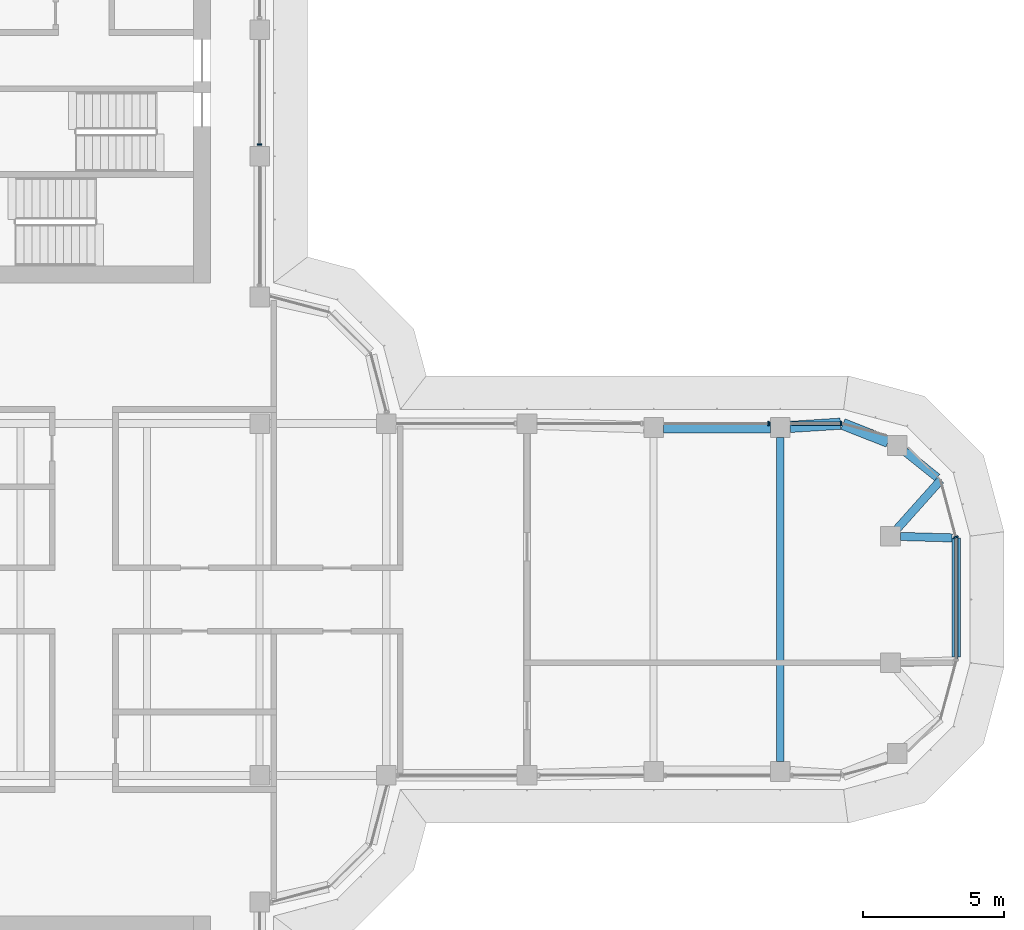
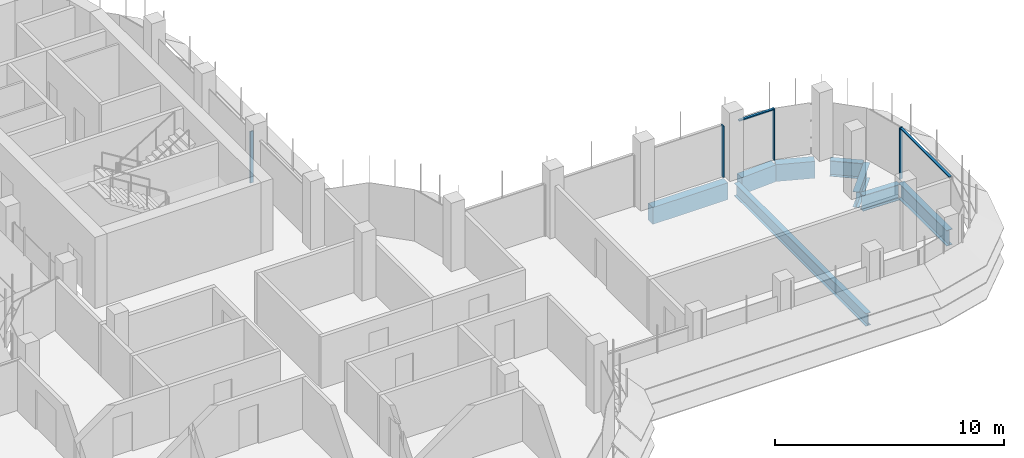
# One storey, part 9 of 19: 8 beams, 6 members, 4 elements without a shape of their own.
"""IFC4 building model written with IfcOpenShell, lengths in metres."""

import ifcopenshell
import ifcopenshell.guid

model = None  # the IFC model being written
_history = None  # IfcOwnerHistory: only IFC2X3 demands one
_inside = {}  # id of a spatial element -> (the spatial element, [elements in it])
_under = {}  # id of a project, library or spatial element -> (it, [spatial elements below it])
_declared = {}  # id of a project -> (the project, [libraries it declares])
_typed = {}  # id of a type object -> (the type object, [elements of that type])
_made_of = {}  # id of a material, layer set ... -> (it, [elements and type objects made of it])


def new_model(schema):
    """Start an empty IFC model of exactly this schema.

    Asked for "IFC4X3", IfcOpenShell would pick the latest addendum, in which some entities
    have other attributes; the version numbers below select the first issue.
    IFC2X3 requires an IfcOwnerHistory on every rooted entity: one is made here for all.
    """
    global model, _history
    if schema == "IFC4X3":
        model = ifcopenshell.file(schema_version=(4, 3, 0, 0))
    else:
        model = ifcopenshell.file(schema=schema)
    _inside.clear()
    _under.clear()
    _declared.clear()
    _typed.clear()
    _made_of.clear()
    _history = None
    if model.schema == "IFC2X3":
        org = make("IfcOrganization", Name="unknown")
        user = make(
            "IfcPersonAndOrganization",
            ThePerson=make("IfcPerson", FamilyName="unknown"),
            TheOrganization=org,
        )
        app = make(
            "IfcApplication",
            ApplicationDeveloper=org,
            Version="unknown",
            ApplicationFullName="unknown",
            ApplicationIdentifier="unknown",
        )
        _history = make(
            "IfcOwnerHistory",
            OwningUser=user,
            OwningApplication=app,
            ChangeAction="ADDED",
            CreationDate=0,
        )
    return model


def make(cls, **values):
    """One entity of the class cls with the attributes given. An attribute that is None is left unset."""
    return model.create_entity(
        cls, **{name: value for name, value in values.items() if value is not None}
    )


def rooted(cls, **values):
    """An entity with a GlobalId (a new one), such as an element, a storey or a relation."""
    return make(cls, GlobalId=ifcopenshell.guid.new(), OwnerHistory=_history, **values)


def si_unit(unit_type, name, prefix=None):
    """IfcSIUnit, for example si_unit("LENGTHUNIT", "METRE", prefix="MILLI")."""
    return make("IfcSIUnit", UnitType=unit_type, Prefix=prefix, Name=name)


def assignment(units):
    """IfcUnitAssignment: the units of a project."""
    return None if units is None else make("IfcUnitAssignment", Units=units)


def point(xyz):
    """IfcCartesianPoint."""
    return None if xyz is None else make("IfcCartesianPoint", Coordinates=xyz)


def direction(xyz):
    """IfcDirection."""
    return None if xyz is None else make("IfcDirection", DirectionRatios=xyz)


def frame(location, z_axis=None, x_axis=None):
    """IfcAxis2Placement3D, a coordinate frame: its origin and axes. An axis left out is left unset."""
    return make(
        "IfcAxis2Placement3D",
        Location=point(location),
        Axis=direction(z_axis),
        RefDirection=direction(x_axis),
    )


def frame_2d(location, x_axis=None):
    """IfcAxis2Placement2D, a coordinate frame in the plane: its origin and x axis."""
    return make(
        "IfcAxis2Placement2D", Location=point(location), RefDirection=direction(x_axis)
    )


def origin():
    """The frame at (0, 0, 0) with its axes left unset."""
    return frame((0.0, 0.0, 0.0))


def origin_2d():
    """The frame at (0, 0) in the plane with its x axis left unset."""
    return frame_2d((0.0, 0.0))


def place(relative_to, where):
    """IfcLocalPlacement: puts the frame where relative to a parent placement (None: the world)."""
    return make(
        "IfcLocalPlacement", PlacementRelTo=relative_to, RelativePlacement=where
    )


def context(
    kind, dimensions, precision=None, world=None, true_north=None, identifier=None
):
    """IfcGeometricRepresentationContext, for example the 3D "Model" context."""
    return make(
        "IfcGeometricRepresentationContext",
        ContextIdentifier=identifier,
        ContextType=kind,
        CoordinateSpaceDimension=dimensions,
        Precision=precision,
        WorldCoordinateSystem=world,
        TrueNorth=true_north,
    )


def subcontext(parent, identifier, kind, view, scale=None):
    """IfcGeometricRepresentationSubContext, for example "Body" below "Model"."""
    return make(
        "IfcGeometricRepresentationSubContext",
        ContextIdentifier=identifier,
        ContextType=kind,
        ParentContext=parent,
        TargetScale=scale,
        TargetView=view,
    )


def project(units=None, contexts=None):
    """IfcProject with its units and contexts."""
    return rooted(
        "IfcProject",
        Name="project",
        RepresentationContexts=contexts,
        UnitsInContext=assignment(units),
    )


def spatial(cls, under=None, at=None, **own):
    """A site, building, storey or space (cls), placed at a placement, below another one or the project."""
    s = rooted(cls, ObjectPlacement=at, **own)
    if under is not None:
        _under.setdefault(under.id(), (under, []))[1].append(s)
    return s


def polyline(points):
    """IfcPolyline through the points."""
    return make("IfcPolyline", Points=[point(p) for p in points])


def profile(cls, at=None, kind="AREA", **sizes):
    """A parametric profile (cls). Its sizes go by their IFC names, for example OverallWidth=200.0."""
    return make(cls, ProfileType=kind, Position=at, **sizes)


def rectangle(**sizes):
    """IfcRectangleProfileDef."""
    return profile("IfcRectangleProfileDef", **sizes)


def i_section(**sizes):
    """IfcIShapeProfileDef."""
    return profile("IfcIShapeProfileDef", **sizes)


def outline(outer, holes=None, kind="AREA"):
    """IfcArbitraryClosedProfileDef: a profile drawn as a closed curve; with holes, ...WithVoids."""
    if holes is None:
        return make("IfcArbitraryClosedProfileDef", ProfileType=kind, OuterCurve=outer)
    return make(
        "IfcArbitraryProfileDefWithVoids",
        ProfileType=kind,
        OuterCurve=outer,
        InnerCurves=holes,
    )


def extrude(swept, where, along, depth):
    """IfcExtrudedAreaSolid: the profile swept, set in the frame where, extruded along a direction by depth."""
    return make(
        "IfcExtrudedAreaSolid",
        SweptArea=swept,
        Position=where,
        ExtrudedDirection=direction(along),
        Depth=depth,
    )


def shape(context_of_items, identifier, shape_type, items):
    """IfcShapeRepresentation: the items that make up one representation, for example the "Body"."""
    return make(
        "IfcShapeRepresentation",
        ContextOfItems=context_of_items,
        RepresentationIdentifier=identifier,
        RepresentationType=shape_type,
        Items=items,
    )


def source(mapping_origin, context_of_items, identifier, shape_type, items):
    """IfcRepresentationMap: a shape defined once, which mapped items show again and again."""
    return make(
        "IfcRepresentationMap",
        MappingOrigin=mapping_origin,
        MappedRepresentation=shape(context_of_items, identifier, shape_type, items),
    )


def transform(
    local_origin,
    x_axis=None,
    y_axis=None,
    z_axis=None,
    scale=None,
    scale2=None,
    scale3=None,
    uniform=True,
):
    """IfcCartesianTransformationOperator3D, or its non-uniform kind. x_axis, y_axis, z_axis: its Axis1, 2, 3."""
    if uniform:
        return make(
            "IfcCartesianTransformationOperator3D",
            Axis1=direction(x_axis),
            Axis2=direction(y_axis),
            LocalOrigin=point(local_origin),
            Scale=scale,
            Axis3=direction(z_axis),
        )
    return make(
        "IfcCartesianTransformationOperator3DnonUniform",
        Axis1=direction(x_axis),
        Axis2=direction(y_axis),
        LocalOrigin=point(local_origin),
        Scale=scale,
        Axis3=direction(z_axis),
        Scale2=scale2,
        Scale3=scale3,
    )


def mapped(mapping_source, mapping_target):
    """IfcMappedItem: shows the shape of a source again, moved by a transform."""
    return make(
        "IfcMappedItem", MappingSource=mapping_source, MappingTarget=mapping_target
    )


def material(Name=None, Category=None):
    """IfcMaterial."""
    return make("IfcMaterial", Name=Name, Category=Category)


def material_profile(
    of_material, cross_section, Name=None, Category=None, Priority=None
):
    """IfcMaterialProfile: a cross section and its material."""
    return make(
        "IfcMaterialProfile",
        Name=Name,
        Material=of_material,
        Profile=cross_section,
        Priority=Priority,
        Category=Category,
    )


def profile_set(profiles, Name=None, composite=None):
    """IfcMaterialProfileSet."""
    return make(
        "IfcMaterialProfileSet",
        Name=Name,
        MaterialProfiles=profiles,
        CompositeProfile=composite,
    )


def made_of(thing, what):
    """Note that an element or type object is made of a material, layer set ...; save() writes the relation."""
    if what is not None:
        _made_of.setdefault(what.id(), (what, []))[1].append(thing)
    return thing


def type_object(cls, material=None, **own):
    """A type object (cls), such as IfcWallType, which elements share."""
    return made_of(rooted(cls, **own), material)


def element(
    cls,
    number,
    at=None,
    inside=None,
    cuts=None,
    type_object=None,
    material=None,
    context=None,
    identifier="Body",
    shape_type=None,
    held_by="IfcProductDefinitionShape",
    body=None,
    shapes=None,
    **own,
):
    """One element of the class cls, such as IfcWall. Its Tag is "e" and its number.

    at: its placement. inside: the storey or other place that contains it. cuts: it is an
    opening in that element (IfcRelVoidsElement). A single representation is given by context,
    identifier, shape_type and body (its items); several are given by shapes. held_by: the class
    of the entity that holds the representations. save() writes the other relations.
    """
    e = rooted(cls, Tag="e%d" % number, ObjectPlacement=at, **own)
    if body is not None:
        shapes = [shape(context, identifier, shape_type, body)]
    if shapes is not None:
        e.Representation = make(held_by, Representations=shapes)
    if inside is not None:
        _inside.setdefault(inside.id(), (inside, []))[1].append(e)
    if cuts is not None:
        rooted(
            "IfcRelVoidsElement", RelatingBuildingElement=cuts, RelatedOpeningElement=e
        )
    if type_object is not None:
        _typed.setdefault(type_object.id(), (type_object, []))[1].append(e)
    return made_of(e, material)


def aggregate(whole, parts):
    """IfcRelAggregates: a whole, such as a stair, and the parts it consists of."""
    return rooted("IfcRelAggregates", RelatingObject=whole, RelatedObjects=parts)


def save(model, path):
    """Write the relations noted so far, then the file.

    IfcRelAggregates (storeys below a building ...), IfcRelContainedInSpatialStructure (elements
    in a storey), IfcRelDefinesByType, IfcRelAssociatesMaterial and IfcRelDeclares: one each for
    every whole, place, type object, material and project.
    """
    for whole, parts in _under.values():
        aggregate(whole, parts)
    for where, things in _inside.values():
        rooted(
            "IfcRelContainedInSpatialStructure",
            RelatedElements=things,
            RelatingStructure=where,
        )
    for kind, things in _typed.values():
        rooted("IfcRelDefinesByType", RelatedObjects=things, RelatingType=kind)
    for what, things in _made_of.values():
        rooted("IfcRelAssociatesMaterial", RelatedObjects=things, RelatingMaterial=what)
    for by, libraries in _declared.values():
        rooted("IfcRelDeclares", RelatingContext=by, RelatedDefinitions=libraries)
    model.write(path)


model = new_model("IFC4")

# Units and contexts
model_context = context("Model", 3, precision=1e-05, world=origin(), true_north=direction((0.0, 1.0)))
body_context = subcontext(model_context, "Body", "Model", "MODEL_VIEW")
ifc_project = project(units=[si_unit("LENGTHUNIT", "METRE"), si_unit("AREAUNIT", "SQUARE_METRE"), si_unit("VOLUMEUNIT", "CUBIC_METRE"), si_unit("PLANEANGLEUNIT", "RADIAN"), si_unit("MASSUNIT", "GRAM", prefix="KILO")], contexts=[model_context])

# Site, building, storey
site_placement = place(None, origin())
site = spatial("IfcSite", under=ifc_project, at=site_placement, CompositionType="ELEMENT")
building_placement = place(site_placement, origin())
building = spatial("IfcBuilding", under=site, at=building_placement, Name="Zarbagh Exchange Tower", CompositionType="ELEMENT")
storey_placement = place(building_placement, frame((0.0, 0.0, 222.0)))
storey = spatial("IfcBuildingStorey", under=building, at=storey_placement, Name="L54", CompositionType="ELEMENT", Elevation=222.0)

# Beams
ifc_material_1 = material(Name="Steel ASTM A992 Gr 50", Category="steel")
ifc_material_profile_1 = material_profile(ifc_material_1, i_section(OverallWidth=0.25390625, OverallDepth=0.67822265625, WebThickness=0.01171875, FlangeThickness=0.016357421875, at=origin_2d()), Name="W27X84")
ifc_profile_set_1 = profile_set([ifc_material_profile_1], Name="Steel ASTM A992 Gr 50")
beam_type_1 = type_object("IfcBeamType", Name="Floor beam W27X84", PredefinedType="BEAM", material=ifc_profile_set_1)
beam_1_placement = place(storey_placement, frame((24.75, -5.760009765625, -0.489013671875), z_axis=(0.0, 1.0, 0.0), x_axis=(-1.0, 0.0, 0.0)))
element("IfcBeam", 1, at=beam_1_placement, inside=storey, type_object=beam_type_1, Name="Steel floor beam", PredefinedType="BEAM", context=body_context, shape_type="SweptSolid", body=[
    extrude(i_section(OverallWidth=0.25390625, OverallDepth=0.67822265625, WebThickness=0.01171875, FlangeThickness=0.016357421875, at=origin_2d()), origin(), (0.0, 0.0, 1.0), 11.52001953125),
])
ifc_material_profile_2 = material_profile(ifc_material_1, i_section(OverallWidth=0.2919921875, OverallDepth=0.835693359375, WebThickness=0.013916015625, FlangeThickness=0.018798828125, at=origin_2d()), Name="W33X118")
ifc_profile_set_2 = profile_set([ifc_material_profile_2], Name="Steel ASTM A992 Gr 50")
beam_type_2 = type_object("IfcBeamType", Name="Floor girder W33X118", PredefinedType="BEAM", material=ifc_profile_set_2)
beam_2_placement = place(storey_placement, frame((29.18115234375, 5.256103515625, -0.56787109375), z_axis=(0.780625690962, -0.624998824487, 0.0), x_axis=(0.624998824487, 0.780625690962, 0.0)))
element("IfcBeam", 2, at=beam_2_placement, inside=storey, type_object=beam_type_2, Name="Steel girder", PredefinedType="BEAM", context=body_context, shape_type="SweptSolid", body=[
    extrude(i_section(OverallWidth=0.2919921875, OverallDepth=0.835693359375, WebThickness=0.013916015625, FlangeThickness=0.018798828125, at=origin_2d()), origin(), (0.0, 0.0, 1.0), 1.469970703125),
])
beam_3_placement = place(storey_placement, frame((30.44873046875, 4.2412109375, -0.56787109375), z_axis=(-0.66615169279, -0.745816279115, 0.0), x_axis=(0.745816279115, -0.66615169279, 0.0)))
element("IfcBeam", 3, at=beam_3_placement, inside=storey, type_object=beam_type_2, Name="Steel girder", PredefinedType="BEAM", context=body_context, shape_type="SweptSolid", body=[
    extrude(i_section(OverallWidth=0.2919921875, OverallDepth=0.835693359375, WebThickness=0.013916015625, FlangeThickness=0.018798828125, at=origin_2d()), origin(), (0.0, 0.0, 1.0), 2.31982421875),
])
beam_4_placement = place(storey_placement, frame((29.02001953125, 2.239990234375, -0.56787109375), z_axis=(0.999603805015, -0.028146633904, 0.0), x_axis=(0.028146633904, 0.999603805015, 0.0)))
element("IfcBeam", 4, at=beam_4_placement, inside=storey, type_object=beam_type_2, Name="Steel girder", PredefinedType="BEAM", context=body_context, shape_type="SweptSolid", body=[
    extrude(i_section(OverallWidth=0.2919921875, OverallDepth=0.835693359375, WebThickness=0.013916015625, FlangeThickness=0.018798828125, at=origin_2d()), origin(), (0.0, 0.0, 1.0), 1.8388671875),
])
beam_5_placement = place(storey_placement, frame((31.0, 2.18408203125, -0.56787109375), z_axis=(0.0, -1.0, 0.0), x_axis=(1.0, 0.0, 0.0)))
element("IfcBeam", 5, at=beam_5_placement, inside=storey, type_object=beam_type_2, Name="Steel girder", PredefinedType="BEAM", context=body_context, shape_type="SweptSolid", body=[
    extrude(i_section(OverallWidth=0.2919921875, OverallDepth=0.835693359375, WebThickness=0.013916015625, FlangeThickness=0.018798828125, at=origin_2d()), origin(), (0.0, 0.0, 1.0), 4.226318359375),
])
ifc_material_2 = material(Name="Concrete C50/60", Category="concrete")
ifc_material_profile_3 = material_profile(ifc_material_2, rectangle(XDim=0.39990234375, YDim=0.89990234375, at=origin_2d()), Name="RC spandrel beam 400 x 900 C50/60")
ifc_profile_set_3 = profile_set([ifc_material_profile_3], Name="Concrete C50/60")
beam_type_3 = type_object("IfcBeamType", Name="RC spandrel beam 400 x 900 C50/60", PredefinedType="SPANDREL", material=ifc_profile_set_3)
beam_6_placement = place(storey_placement, frame((20.60009765625, 6.110107421875, -0.60009765625), z_axis=(1.0, 0.0, 0.0), x_axis=(0.0, 1.0, 0.0)))
element("IfcBeam", 6, at=beam_6_placement, inside=storey, type_object=beam_type_3, Name="RC spandrel beam", PredefinedType="SPANDREL", context=body_context, shape_type="SweptSolid", body=[
    extrude(rectangle(XDim=0.39990234375, YDim=0.89990234375, at=origin_2d()), origin(), (0.0, 0.0, 1.0), 3.7998046875),
])
beam_7_placement = place(storey_placement, frame((25.099365234375, 6.13232421875, -0.60009765625), z_axis=(0.997943601797, 0.064098109429, 0.0), x_axis=(-0.064098109429, 0.997943601797, 0.0)))
element("IfcBeam", 7, at=beam_7_placement, inside=storey, type_object=beam_type_3, Name="RC spandrel beam", PredefinedType="SPANDREL", context=body_context, shape_type="SweptSolid", body=[
    extrude(rectangle(XDim=0.39990234375, YDim=0.89990234375, at=origin_2d()), origin(), (0.0, 0.0, 1.0), 1.7939453125),
])
beam_8_placement = place(storey_placement, frame((26.9755859375, 6.233642578125, -0.60009765625), z_axis=(0.930818525178, -0.365481700207, 0.0), x_axis=(0.365481700207, 0.930818525178, 0.0)))
element("IfcBeam", 8, at=beam_8_placement, inside=storey, type_object=beam_type_3, Name="RC spandrel beam", PredefinedType="SPANDREL", context=body_context, shape_type="SweptSolid", body=[
    extrude(rectangle(XDim=0.39990234375, YDim=0.89990234375, at=origin_2d()), origin(), (0.0, 0.0, 1.0), 1.72607421875),
])

# Curtain wall, member
ifc_material_3 = material(Name="Anodised aluminium frame and glazing", Category="aluminium")
curtain_wall_type = type_object("IfcCurtainWallType", Name="CWB Ribbon glazing, upper zones", PredefinedType="NOTDEFINED", material=ifc_material_3)
curtain_wall_1_placement = place(storey_placement, origin())
curtain_wall_1 = element("IfcCurtainWall", 9, at=curtain_wall_1_placement, inside=storey, type_object=curtain_wall_type, Name="CWB13 curtain wall", PredefinedType="NOTDEFINED")
ifc_material_4 = material(Name="Anodised aluminium frame", Category="aluminium")
member_type_1 = type_object("IfcMemberType", Name="MUB Mullion, anodised aluminium frame", PredefinedType="MULLION", material=ifc_material_4)
shared_shape_1 = source(origin(), body_context, "Body", "SweptSolid", [
    extrude(outline(polyline([(0.0, -0.080078125), (0.06005859375, -0.080078125), (0.06005859375, 0.080078125), (0.0, 0.080078125), (0.0, -0.080078125)])), origin(), (0.0, 0.0, 1.0), 2.75),
])
placement = place(storey_placement, origin())
member_1 = element("IfcMember", 10, at=placement, type_object=member_type_1, Name="CWB13 mullion 1.1", PredefinedType="MULLION", context=body_context, shape_type="MappedRepresentation", body=[
    mapped(shared_shape_1, transform((31.0, 2.18408203125, 0.0), x_axis=(-0.258824779902, 0.965924289636, 0.0), y_axis=(-0.965924289636, -0.258824779902, 0.0), z_axis=(0.0, 0.0, 1.0))),
])
aggregate(curtain_wall_1, [member_1])

# Curtain wall, members
curtain_wall_2_placement = place(storey_placement, origin())
curtain_wall_2 = element("IfcCurtainWall", 11, at=curtain_wall_2_placement, inside=storey, type_object=curtain_wall_type, Name="CWB16 curtain wall", PredefinedType="NOTDEFINED")
member_2 = element("IfcMember", 12, at=placement, type_object=member_type_1, Name="CWB16 mullion 1.1", PredefinedType="MULLION", context=body_context, shape_type="MappedRepresentation", body=[
    mapped(shared_shape_1, transform((26.93408203125, 6.25, 0.0), x_axis=(-1.0, 0.0, 0.0), y_axis=(0.0, -1.0, 0.0), z_axis=(0.0, 0.0, 1.0))),
])
member_3 = element("IfcMember", 13, at=placement, type_object=member_type_1, Name="CWB16 mullion 2.1", PredefinedType="MULLION", context=body_context, shape_type="MappedRepresentation", body=[
    mapped(shared_shape_1, transform((24.35986328125, 6.25, 0.0), x_axis=(-1.0, 0.0, 0.0), y_axis=(0.0, -1.0, 0.0), z_axis=(0.0, 0.0, 1.0))),
])

# Curtain wall, member
curtain_wall_3_placement = place(storey_placement, origin())
curtain_wall_3 = element("IfcCurtainWall", 14, at=curtain_wall_3_placement, inside=storey, type_object=curtain_wall_type, Name="CWB67 curtain wall", PredefinedType="NOTDEFINED")
member_4 = element("IfcMember", 15, at=placement, type_object=member_type_1, Name="CWB67 mullion 2.1", PredefinedType="MULLION", context=body_context, shape_type="MappedRepresentation", body=[
    mapped(shared_shape_1, transform((6.25, 16.14013671875, 0.0), x_axis=(0.0, 1.0, 0.0), y_axis=(-1.0, 0.0, 0.0), z_axis=(0.0, 0.0, 1.0))),
])
aggregate(curtain_wall_3, [member_4])

# Member
member_type_2 = type_object("IfcMemberType", Name="TRB Transom, anodised aluminium frame", PredefinedType="USERDEFINED", material=ifc_material_4)
shared_shape_2 = source(origin(), body_context, "Body", "SweptSolid", [
    extrude(outline(polyline([(-0.06005859375, -0.06005859375), (0.0, -0.06005859375), (0.0, 0.06005859375), (-0.06005859375, 0.06005859375), (-0.06005859375, -0.06005859375)])), origin(), (0.0, 0.0, 1.0), 1.734130859375),
])
member_5 = element("IfcMember", 16, at=placement, type_object=member_type_2, Name="CWB16 transom 1.1", ObjectType="TRANSOM", PredefinedType="USERDEFINED", context=body_context, shape_type="MappedRepresentation", body=[
    mapped(shared_shape_2, transform((26.874267578125, 6.25, 2.75), x_axis=(0.0, 0.0, 1.0), y_axis=(0.0, 1.0, 0.0), z_axis=(-1.0, 0.0, 0.0))),
])

aggregate(curtain_wall_2, [member_2, member_5, member_3])

# Curtain wall, member
curtain_wall_4_placement = place(storey_placement, origin())
curtain_wall_4 = element("IfcCurtainWall", 17, at=curtain_wall_4_placement, inside=storey, type_object=curtain_wall_type, Name="CWB12 curtain wall", PredefinedType="NOTDEFINED")
shared_shape_3 = source(origin(), body_context, "Body", "SweptSolid", [
    extrude(outline(polyline([(-0.06005859375, -0.06005859375), (0.0, -0.06005859375), (0.0, 0.06005859375), (-0.06005859375, 0.06005859375), (-0.06005859375, -0.06005859375)])), origin(), (0.0, 0.0, 1.0), 4.308349609375),
])
member_6 = element("IfcMember", 18, at=placement, type_object=member_type_2, Name="CWB12 transom 1.1", ObjectType="TRANSOM", PredefinedType="USERDEFINED", context=body_context, shape_type="MappedRepresentation", body=[
    mapped(shared_shape_3, transform((31.0, -2.124267578125, 2.75), x_axis=(0.0, 0.0, 1.0), y_axis=(1.0, 0.0, 0.0), z_axis=(0.0, 1.0, 0.0))),
])
aggregate(curtain_wall_4, [member_6])

save(model, "model.ifc")
